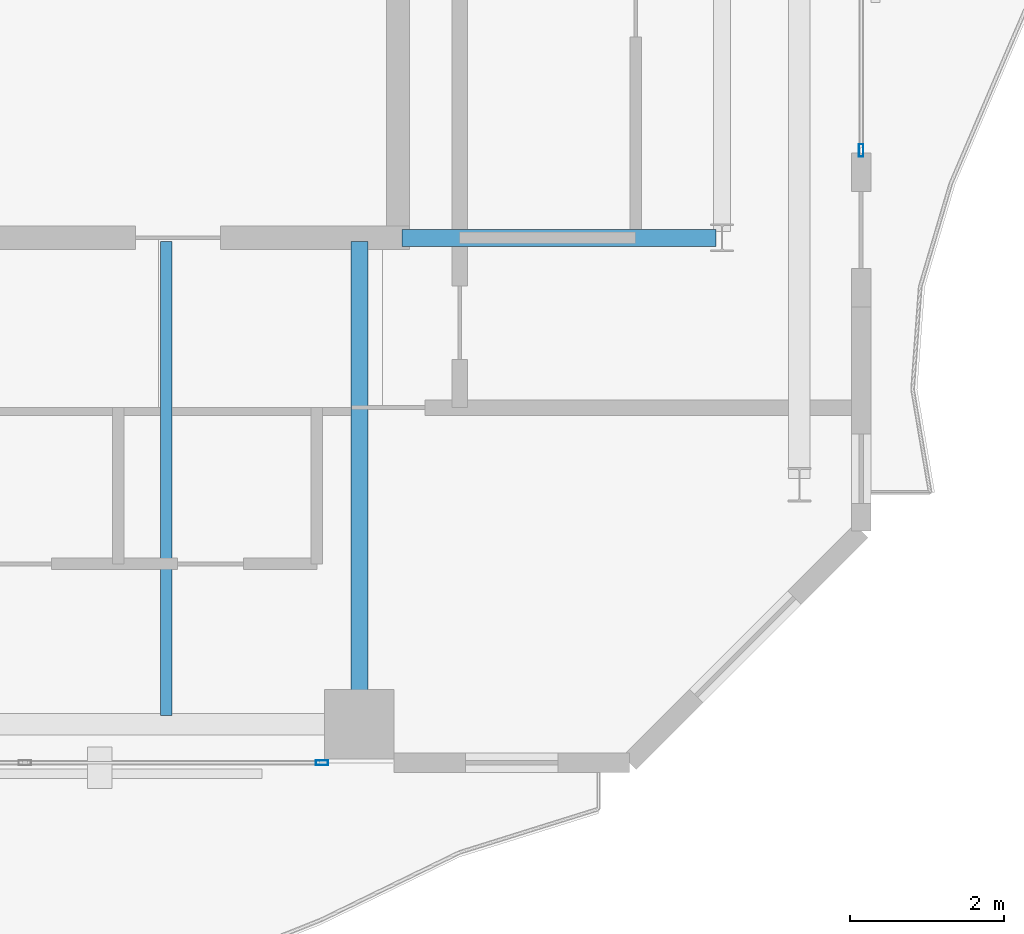
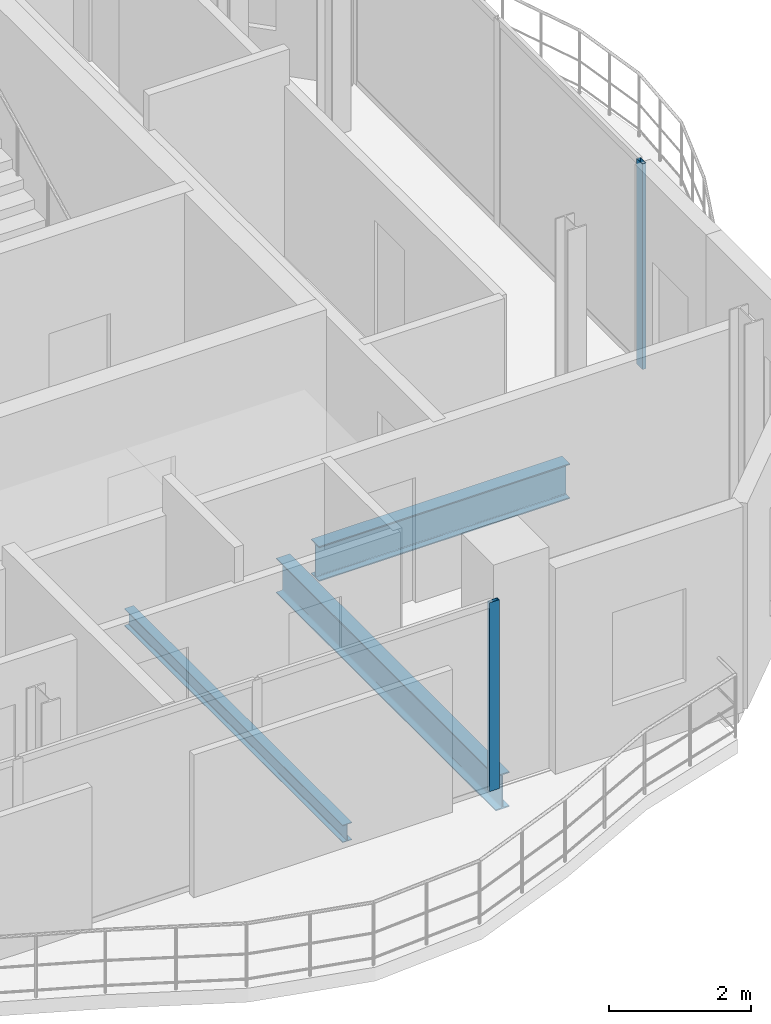
# One storey, part 14 of 22: 3 beams, 2 members, 2 elements without a shape of their own.
"""IFC4 building model written with IfcOpenShell, lengths in metres."""

from ifc_helpers import new_model, si_unit, direction, frame, origin, origin_2d, place, context, subcontext, project, spatial, hollow_rectangle, i_section, extrude, material, layer, layer_set, material_profile, profile_set, type_object, element, aggregate, save


model = new_model("IFC4")

# Units and contexts
model_context = context("Model", 3, precision=1e-05, world=origin(), true_north=direction((0.0, 1.0)))
body_context = subcontext(model_context, "Body", "Model", "MODEL_VIEW")
ifc_project = project(units=[si_unit("LENGTHUNIT", "METRE"), si_unit("AREAUNIT", "SQUARE_METRE"), si_unit("VOLUMEUNIT", "CUBIC_METRE"), si_unit("PLANEANGLEUNIT", "RADIAN"), si_unit("MASSUNIT", "GRAM", prefix="KILO")], contexts=[model_context])

# Site, building, storey
site_placement = place(None, origin())
site = spatial("IfcSite", under=ifc_project, at=site_placement, CompositionType="ELEMENT")
building_placement = place(site_placement, origin())
building = spatial("IfcBuilding", under=site, at=building_placement, Name="Catumbela Crestline Tower", CompositionType="ELEMENT")
storey_placement = place(building_placement, frame((0.0, 0.0, 218.4)))
storey = spatial("IfcBuildingStorey", under=building, at=storey_placement, Name="L56", CompositionType="ELEMENT", Elevation=218.4)

# Beams
ifc_material_1 = material(Name="Structural steel S355J2", Category="steel")
ifc_material_profile_1 = material_profile(ifc_material_1, i_section(OverallWidth=0.22, OverallDepth=0.6, WebThickness=0.012, FlangeThickness=0.019, FilletRadius=0.024, at=origin_2d()), Name="IPE 600")
ifc_profile_set_1 = profile_set([ifc_material_profile_1], Name="Structural steel S355J2")
beam_type_1 = type_object("IfcBeamType", Name="BG-IPE600", PredefinedType="BEAM", material=ifc_profile_set_1)
beam_1_placement = place(storey_placement, frame((40.05, 30.8, -0.56), z_axis=(1.0, 0.0, 0.0), x_axis=(0.0, 1.0, 0.0)))
element("IfcBeam", 1, at=beam_1_placement, inside=storey, type_object=beam_type_1, Name="L56 Beam BM-L56-M08", PredefinedType="BEAM", context=body_context, shape_type="SweptSolid", body=[
    extrude(i_section(OverallWidth=0.22, OverallDepth=0.6, WebThickness=0.012, FlangeThickness=0.019, FilletRadius=0.024, at=origin_2d()), origin(), (0.0, 0.0, 1.0), 4.07),
])
beam_2_placement = place(storey_placement, frame((39.5, 24.58, -0.56), z_axis=(0.0, 1.0, 0.0), x_axis=(-1.0, 0.0, 0.0)))
element("IfcBeam", 2, at=beam_2_placement, inside=storey, type_object=beam_type_1, Name="L56 Beam BM-L56-SNS18", PredefinedType="BEAM", context=body_context, shape_type="SweptSolid", body=[
    extrude(i_section(OverallWidth=0.22, OverallDepth=0.6, WebThickness=0.012, FlangeThickness=0.019, FilletRadius=0.024, at=origin_2d()), origin(), (0.0, 0.0, 1.0), 6.17),
])
ifc_material_profile_2 = material_profile(ifc_material_1, i_section(OverallWidth=0.15, OverallDepth=0.3, WebThickness=0.0071, FlangeThickness=0.0107, FilletRadius=0.015, at=origin_2d()), Name="IPE 300")
ifc_profile_set_2 = profile_set([ifc_material_profile_2], Name="Structural steel S355J2")
beam_type_2 = type_object("IfcBeamType", Name="BJ-IPE300", PredefinedType="JOIST", material=ifc_profile_set_2)
beam_3_placement = place(storey_placement, frame((37.0, 24.61, -0.41), z_axis=(0.0, 1.0, 0.0), x_axis=(-1.0, 0.0, 0.0)))
element("IfcBeam", 3, at=beam_3_placement, inside=storey, type_object=beam_type_2, Name="L56 Joist JS-L56-SP26", PredefinedType="JOIST", context=body_context, shape_type="SweptSolid", body=[
    extrude(i_section(OverallWidth=0.15, OverallDepth=0.3, WebThickness=0.0071, FlangeThickness=0.0107, FilletRadius=0.015, at=origin_2d()), origin(), (0.0, 0.0, 1.0), 6.14),
])

# Curtain wall, member
ifc_material_2 = material(Name="Aluminium alloy AW-6060-T66", Category="aluminium")
ifc_layer = layer(ifc_material_2, 0.18, Name="Aluminium alloy AW-6060-T66")
ifc_layer_set = layer_set([ifc_layer], Name="Aluminium alloy AW-6060-T66")
curtain_wall_type = type_object("IfcCurtainWallType", Name="CWU-Z4", PredefinedType="USERDEFINED", material=ifc_layer_set)
curtain_wall_1_placement = place(storey_placement, origin())
curtain_wall_1 = element("IfcCurtainWall", 4, at=curtain_wall_1_placement, inside=storey, type_object=curtain_wall_type, Name="L56 Unitised Curtain Wall CW-L56-E3S2", ObjectType="UNITISED", PredefinedType="USERDEFINED")
ifc_material_profile_3 = material_profile(ifc_material_2, hollow_rectangle(XDim=0.06, YDim=0.16, WallThickness=0.004, at=origin_2d()), Name="ALU 160x60x4")
ifc_profile_set_3 = profile_set([ifc_material_profile_3], Name="Aluminium alloy AW-6060-T66")
member_type = type_object("IfcMemberType", Name="MUL-160X60", PredefinedType="MULLION", material=ifc_profile_set_3)
member_1_placement = place(storey_placement, frame((39.0175, 24.0, 0.0), z_axis=(0.0, 0.0, 1.0), x_axis=(0.0, 1.0, 0.0)))
member_1 = element("IfcMember", 5, at=member_1_placement, type_object=member_type, Name="CWU-Z4 mullion 4", PredefinedType="MULLION", context=body_context, shape_type="SweptSolid", body=[
    extrude(hollow_rectangle(XDim=0.06, YDim=0.16, WallThickness=0.004, at=origin_2d()), origin(), (0.0, 0.0, 1.0), 3.24),
])
aggregate(curtain_wall_1, [member_1])

curtain_wall_2_placement = place(storey_placement, origin())
curtain_wall_2 = element("IfcCurtainWall", 6, at=curtain_wall_2_placement, inside=storey, type_object=curtain_wall_type, Name="L56 Unitised Curtain Wall CW-L56-E5S2", ObjectType="UNITISED", PredefinedType="USERDEFINED")
member_2_placement = place(storey_placement, frame((46.0, 31.9325, 0.0), z_axis=(0.0, 0.0, 1.0), x_axis=(-1.0, 0.0, 0.0)))
member_2 = element("IfcMember", 7, at=member_2_placement, type_object=member_type, Name="CWU-Z4 mullion 1", PredefinedType="MULLION", context=body_context, shape_type="SweptSolid", body=[
    extrude(hollow_rectangle(XDim=0.06, YDim=0.16, WallThickness=0.004, at=origin_2d()), origin(), (0.0, 0.0, 1.0), 3.53),
])
aggregate(curtain_wall_2, [member_2])

save(model, "model.ifc")
